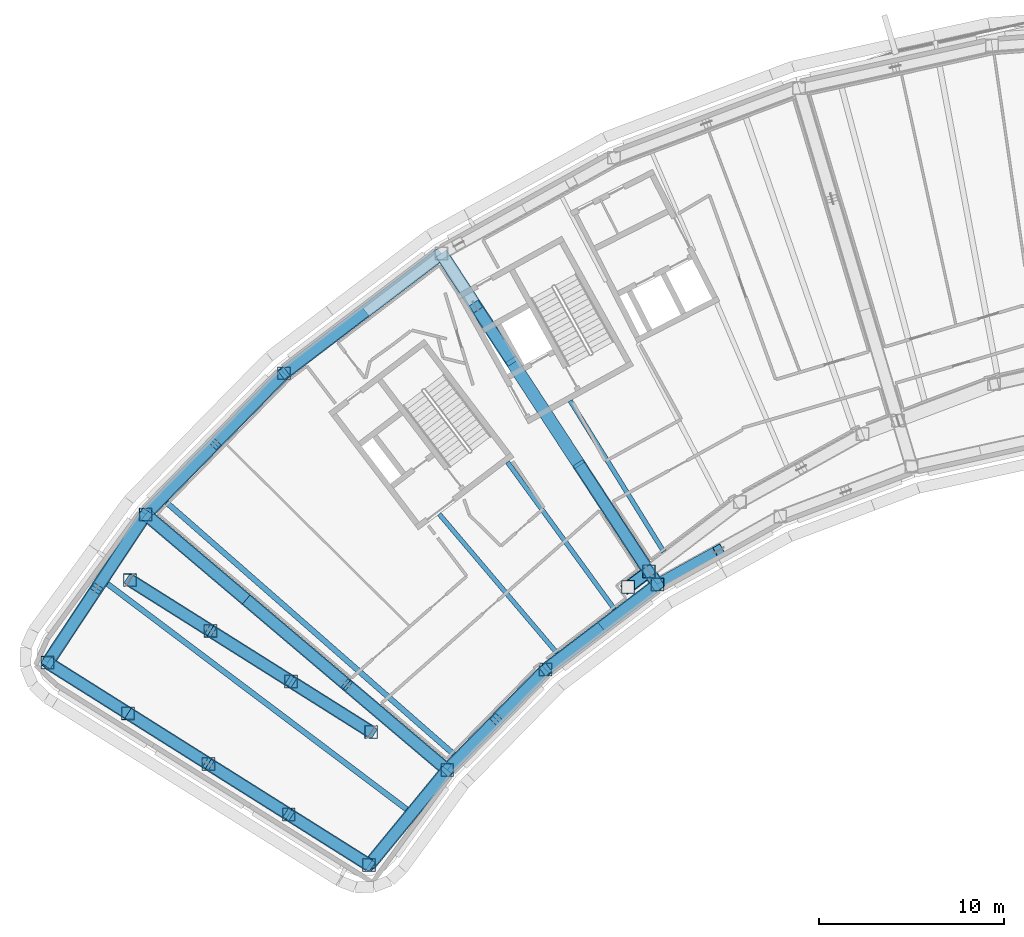
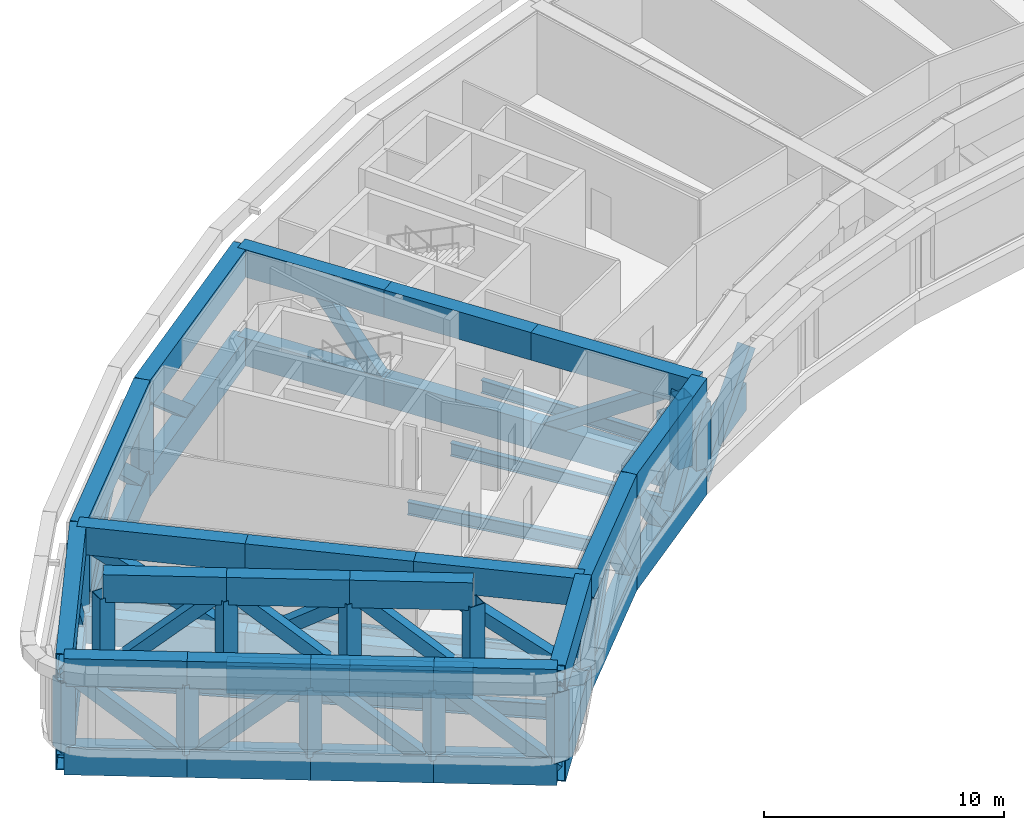
# One storey, part 1 of 25: 44 beams, 41 members.
"""IFC4 building model written with IfcOpenShell, lengths in metres."""

from ifc_helpers import new_model, si_unit, direction, frame, origin, origin_2d, place, context, subcontext, project, spatial, hollow_rectangle, i_section, extrude, material, material_profile, profile_set, type_object, element, save


model = new_model("IFC4")

# Units and contexts
model_context = context("Model", 3, precision=1e-05, world=origin(), true_north=direction((0.0, 1.0)))
body_context = subcontext(model_context, "Body", "Model", "MODEL_VIEW")
ifc_project = project(units=[si_unit("LENGTHUNIT", "METRE"), si_unit("AREAUNIT", "SQUARE_METRE"), si_unit("VOLUMEUNIT", "CUBIC_METRE"), si_unit("PLANEANGLEUNIT", "RADIAN"), si_unit("MASSUNIT", "GRAM", prefix="KILO")], contexts=[model_context])

# Site, building, storey
site_placement = place(None, origin())
site = spatial("IfcSite", under=ifc_project, at=site_placement, CompositionType="ELEMENT")
building_placement = place(site_placement, origin())
building = spatial("IfcBuilding", under=site, at=building_placement, Name="Tuul Gate Civic Tower", CompositionType="ELEMENT")
storey_placement = place(building_placement, frame((0.0, 0.0, 133.699951171875)))
storey = spatial("IfcBuildingStorey", under=building, at=storey_placement, Name="Plant and refuge floor 4", CompositionType="ELEMENT", Elevation=133.699951171875)

# Beams
ifc_material_1 = material(Name="Steel S355", Category="steel")
ifc_material_profile_1 = material_profile(ifc_material_1, i_section(OverallWidth=0.25, OverallDepth=0.64990234375, WebThickness=0.011962890625, FlangeThickness=0.02001953125, at=origin_2d()), Name="PG650x250x12x20")
ifc_profile_set_1 = profile_set([ifc_material_profile_1], Name="Steel S355")
beam_type_1 = type_object("IfcBeamType", Name="STR-FLOOR BEAM-PG650x250x12x20", PredefinedType="BEAM", material=ifc_profile_set_1)
beam_1_placement = place(storey_placement, frame((-23.004150390625, -18.904541015625, -0.724853515625), z_axis=(-0.52700579486, 0.849861690032, 0.0), x_axis=(-0.849861690032, -0.52700579486, 0.0)))
element("IfcBeam", 1, at=beam_1_placement, inside=storey, type_object=beam_type_1, Name="Floor beam", PredefinedType="BEAM", context=body_context, shape_type="SweptSolid", body=[
    extrude(i_section(OverallWidth=0.25, OverallDepth=0.64990234375, WebThickness=0.011962890625, FlangeThickness=0.02001953125, at=origin_2d()), origin(), (0.0, 0.0, 1.0), 9.6005859375),
])
beam_2_placement = place(storey_placement, frame((-25.675537109375, -22.00048828125, -0.724853515625), z_axis=(-0.588403722311, 0.808567288215, 0.0), x_axis=(-0.808567288215, -0.588403722311, 0.0)))
element("IfcBeam", 2, at=beam_2_placement, inside=storey, type_object=beam_type_1, Name="Floor beam", PredefinedType="BEAM", context=body_context, shape_type="SweptSolid", body=[
    extrude(i_section(OverallWidth=0.25, OverallDepth=0.64990234375, WebThickness=0.011962890625, FlangeThickness=0.02001953125, at=origin_2d()), origin(), (0.0, 0.0, 1.0), 9.821533203125),
])
beam_3_placement = place(storey_placement, frame((-28.7841796875, -24.367431640625, -0.724853515625), z_axis=(-0.64657533319, 0.762850141581, 0.0), x_axis=(-0.762850141581, -0.64657533319, 0.0)))
element("IfcBeam", 3, at=beam_3_placement, inside=storey, type_object=beam_type_1, Name="Floor beam", PredefinedType="BEAM", context=body_context, shape_type="SweptSolid", body=[
    extrude(i_section(OverallWidth=0.25, OverallDepth=0.64990234375, WebThickness=0.011962890625, FlangeThickness=0.02001953125, at=origin_2d()), origin(), (0.0, 0.0, 1.0), 9.832763671875),
])
ifc_material_2 = material(Name="Steel S355", Category="steel")
ifc_material_profile_2 = material_profile(ifc_material_2, i_section(OverallWidth=0.300048828125, OverallDepth=0.800048828125, WebThickness=0.013916015625, FlangeThickness=0.02490234375, at=origin_2d()), Name="PG800x300x14x25")
ifc_profile_set_2 = profile_set([ifc_material_profile_2], Name="Steel S355")
beam_type_2 = type_object("IfcBeamType", Name="STR-FLOOR BEAM-PG800x300x14x25", PredefinedType="BEAM", material=ifc_profile_set_2)
beam_4_placement = place(storey_placement, frame((-34.36083984375, -29.83984375, -0.800048828125), z_axis=(-0.752023742184, 0.659136018734, 0.0), x_axis=(-0.659136018734, -0.752023742184, 0.0)))
element("IfcBeam", 4, at=beam_4_placement, inside=storey, type_object=beam_type_2, Name="Floor beam", PredefinedType="BEAM", context=body_context, shape_type="SweptSolid", body=[
    extrude(i_section(OverallWidth=0.300048828125, OverallDepth=0.800048828125, WebThickness=0.013916015625, FlangeThickness=0.02490234375, at=origin_2d()), origin(), (0.0, 0.0, 1.0), 20.632568359375),
])
beam_5_placement = place(storey_placement, frame((-36.902587890625, -32.816650390625, -0.800048828125), z_axis=(-0.79870368658, 0.601724539174, 0.0), x_axis=(-0.601724539174, -0.79870368658, 0.0)))
element("IfcBeam", 5, at=beam_5_placement, inside=storey, type_object=beam_type_2, Name="Floor beam", PredefinedType="BEAM", context=body_context, shape_type="SweptSolid", body=[
    extrude(i_section(OverallWidth=0.300048828125, OverallDepth=0.800048828125, WebThickness=0.013916015625, FlangeThickness=0.02490234375, at=origin_2d()), origin(), (0.0, 0.0, 1.0), 20.233642578125),
])
ifc_material_3 = material(Name="Steel S460", Category="steel")
ifc_material_profile_3 = material_profile(ifc_material_3, hollow_rectangle(XDim=0.699951171875, YDim=1.39990234375, WallThickness=0.0400390625, at=origin_2d()), Name="BOX1400x700x40")
ifc_profile_set_3 = profile_set([ifc_material_profile_3], Name="Steel S460")
beam_type_3 = type_object("IfcBeamType", Name="STR-TRANSFER TRUSS CHORD-BOX1400x700x40", PredefinedType="BEAM", material=ifc_profile_set_3)
beam_6_placement = place(storey_placement, frame((-50.998046875, -16.884033203125, -1.099853515625), z_axis=(0.762827934926, -0.646601532396, 0.0), x_axis=(0.646601532396, 0.762827934926, 0.0)))
element("IfcBeam", 6, at=beam_6_placement, inside=storey, type_object=beam_type_3, Name="Radial truss bottom chord", PredefinedType="BEAM", context=body_context, shape_type="SweptSolid", body=[
    extrude(hollow_rectangle(XDim=0.699951171875, YDim=1.39990234375, WallThickness=0.0400390625, at=origin_2d()), origin(), (0.0, 0.0, 1.0), 7.118896484375),
])
beam_7_placement = place(storey_placement, frame((-45.567626953125, -21.487060546875, -1.099853515625), z_axis=(0.762813595765, -0.646618448636, 0.0), x_axis=(0.646618448636, 0.762813595765, 0.0)))
element("IfcBeam", 7, at=beam_7_placement, inside=storey, type_object=beam_type_3, Name="Radial truss bottom chord", PredefinedType="BEAM", context=body_context, shape_type="SweptSolid", body=[
    extrude(hollow_rectangle(XDim=0.699951171875, YDim=1.39990234375, WallThickness=0.0400390625, at=origin_2d()), origin(), (0.0, 0.0, 1.0), 7.11865234375),
])
for number, where, z_axis, x_axis, name in (
    (8, (-40.137451171875, -26.090087890625, -1.099853515625), (0.762827934926, -0.646601532396, 0.0), (0.646601532396, 0.762827934926, 0.0), "Radial truss bottom chord"),
    (9, (-50.998046875, -16.884033203125, 3.400146484375), (0.762827934926, -0.646601532396, 0.0), (0.646601532396, 0.762827934926, 0.0), "Radial truss top chord"),
):
    element("IfcBeam", number, at=place(storey_placement, frame(where, z_axis=z_axis, x_axis=x_axis)), inside=storey, type_object=beam_type_3, Name=name, PredefinedType="BEAM", context=body_context, shape_type="SweptSolid", body=[
        extrude(hollow_rectangle(XDim=0.699951171875, YDim=1.39990234375, WallThickness=0.0400390625, at=origin_2d()), origin(), (0.0, 0.0, 1.0), 7.118896484375),
    ])
beam_8_placement = place(storey_placement, frame((-45.567626953125, -21.487060546875, 3.400146484375), z_axis=(0.762813595765, -0.646618448636, 0.0), x_axis=(0.646618448636, 0.762813595765, 0.0)))
element("IfcBeam", 10, at=beam_8_placement, inside=storey, type_object=beam_type_3, Name="Radial truss top chord", PredefinedType="BEAM", context=body_context, shape_type="SweptSolid", body=[
    extrude(hollow_rectangle(XDim=0.699951171875, YDim=1.39990234375, WallThickness=0.0400390625, at=origin_2d()), origin(), (0.0, 0.0, 1.0), 7.11865234375),
])
beam_9_placement = place(storey_placement, frame((-40.137451171875, -26.090087890625, 3.400146484375), z_axis=(0.762827934926, -0.646601532396, 0.0), x_axis=(0.646601532396, 0.762827934926, 0.0)))
element("IfcBeam", 11, at=beam_9_placement, inside=storey, type_object=beam_type_3, Name="Radial truss top chord", PredefinedType="BEAM", context=body_context, shape_type="SweptSolid", body=[
    extrude(hollow_rectangle(XDim=0.699951171875, YDim=1.39990234375, WallThickness=0.0400390625, at=origin_2d()), origin(), (0.0, 0.0, 1.0), 7.118896484375),
])
for number, where, z_axis, x_axis, name in (
    (12, (-35.028076171875, -2.791015625, -1.099853515625), (0.54671327841, -0.837319885832, 0.0), (0.837319885832, 0.54671327841, 0.0), "Radial truss bottom chord"),
    (13, (-31.290771484375, -8.514892578125, -1.099853515625), (0.54671327841, -0.837319885832, 0.0), (0.837319885832, 0.54671327841, 0.0), "Radial truss bottom chord"),
):
    element("IfcBeam", number, at=place(storey_placement, frame(where, z_axis=z_axis, x_axis=x_axis)), inside=storey, type_object=beam_type_3, Name=name, PredefinedType="BEAM", context=body_context, shape_type="SweptSolid", body=[
        extrude(hollow_rectangle(XDim=0.699951171875, YDim=1.39990234375, WallThickness=0.0400390625, at=origin_2d()), origin(), (0.0, 0.0, 1.0), 6.8359375),
    ])
beam_10_placement = place(storey_placement, frame((-27.553466796875, -14.23876953125, -1.099853515625), z_axis=(0.546703887224, -0.837326017567, 0.0), x_axis=(0.837326017567, 0.546703887224, 0.0)))
element("IfcBeam", 14, at=beam_10_placement, inside=storey, type_object=beam_type_3, Name="Radial truss bottom chord", PredefinedType="BEAM", context=body_context, shape_type="SweptSolid", body=[
    extrude(hollow_rectangle(XDim=0.699951171875, YDim=1.39990234375, WallThickness=0.0400390625, at=origin_2d()), origin(), (0.0, 0.0, 1.0), 7.68310546875),
])
for number, where, z_axis, x_axis, name in (
    (15, (-35.028076171875, -2.791015625, 3.400146484375), (0.54671327841, -0.837319885832, 0.0), (0.837319885832, 0.54671327841, 0.0), "Radial truss top chord"),
    (16, (-31.290771484375, -8.514892578125, 3.400146484375), (0.54671327841, -0.837319885832, 0.0), (0.837319885832, 0.54671327841, 0.0), "Radial truss top chord"),
):
    element("IfcBeam", number, at=place(storey_placement, frame(where, z_axis=z_axis, x_axis=x_axis)), inside=storey, type_object=beam_type_3, Name=name, PredefinedType="BEAM", context=body_context, shape_type="SweptSolid", body=[
        extrude(hollow_rectangle(XDim=0.699951171875, YDim=1.39990234375, WallThickness=0.0400390625, at=origin_2d()), origin(), (0.0, 0.0, 1.0), 6.8359375),
    ])
beam_11_placement = place(storey_placement, frame((-27.553466796875, -14.23876953125, 3.400146484375), z_axis=(0.546703887224, -0.837326017567, 0.0), x_axis=(0.837326017567, 0.546703887224, 0.0)))
element("IfcBeam", 17, at=beam_11_placement, inside=storey, type_object=beam_type_3, Name="Radial truss top chord", PredefinedType="BEAM", context=body_context, shape_type="SweptSolid", body=[
    extrude(hollow_rectangle(XDim=0.699951171875, YDim=1.39990234375, WallThickness=0.0400390625, at=origin_2d()), origin(), (0.0, 0.0, 1.0), 7.68310546875),
])
for number, where, z_axis, x_axis, name in (
    (18, (-35.028076171875, -2.791015625, -1.099853515625), (-0.795657881015, -0.605746264023, 0.0), (0.605746264023, -0.795657881015, 0.0), "Belt truss bottom chord"),
    (19, (-35.028076171875, -2.791015625, 3.400146484375), (-0.795657881015, -0.605746264023, 0.0), (0.605746264023, -0.795657881015, 0.0), "Belt truss top chord"),
):
    element("IfcBeam", number, at=place(storey_placement, frame(where, z_axis=z_axis, x_axis=x_axis)), inside=storey, type_object=beam_type_3, Name=name, PredefinedType="BEAM", context=body_context, shape_type="SweptSolid", body=[
        extrude(hollow_rectangle(XDim=0.699951171875, YDim=1.39990234375, WallThickness=0.0400390625, at=origin_2d()), origin(), (0.0, 0.0, 1.0), 10.677734375),
    ])
for number, where, z_axis, x_axis, name in (
    (20, (-43.52392578125, -9.259033203125, -1.099853515625), (-0.700006025331, -0.714136936798, 0.0), (0.714136936798, -0.700006025331, 0.0), "Belt truss bottom chord"),
    (21, (-43.52392578125, -9.259033203125, 3.400146484375), (-0.700006025331, -0.714136936798, 0.0), (0.714136936798, -0.700006025331, 0.0), "Belt truss top chord"),
):
    element("IfcBeam", number, at=place(storey_placement, frame(where, z_axis=z_axis, x_axis=x_axis)), inside=storey, type_object=beam_type_3, Name=name, PredefinedType="BEAM", context=body_context, shape_type="SweptSolid", body=[
        extrude(hollow_rectangle(XDim=0.699951171875, YDim=1.39990234375, WallThickness=0.0400390625, at=origin_2d()), origin(), (0.0, 0.0, 1.0), 10.67724609375),
    ])
for number, where, z_axis, x_axis, name in (
    (22, (-50.998046875, -16.884033203125, -1.099853515625), (-0.551605665118, -0.834105023489, 0.0), (0.834105023489, -0.551605665118, 0.0), "Belt truss bottom chord"),
    (23, (-50.998046875, -16.884033203125, 3.400146484375), (-0.551605665118, -0.834105023489, 0.0), (0.834105023489, -0.551605665118, 0.0), "Belt truss top chord"),
):
    element("IfcBeam", number, at=place(storey_placement, frame(where, z_axis=z_axis, x_axis=x_axis)), inside=storey, type_object=beam_type_3, Name=name, PredefinedType="BEAM", context=body_context, shape_type="SweptSolid", body=[
        extrude(hollow_rectangle(XDim=0.699951171875, YDim=1.39990234375, WallThickness=0.0400390625, at=origin_2d()), origin(), (0.0, 0.0, 1.0), 9.606689453125),
    ])
for number, where, z_axis, x_axis, name in (
    (24, (-34.70703125, -30.693115234375, -1.099853515625), (0.699947938495, 0.714193869615, 0.0), (-0.714193869615, 0.699947938495, 0.0), "Belt truss bottom chord"),
    (25, (-34.70703125, -30.693115234375, 3.400146484375), (0.699947938495, 0.714193869615, 0.0), (-0.714193869615, 0.699947938495, 0.0), "Belt truss top chord"),
):
    element("IfcBeam", number, at=place(storey_placement, frame(where, z_axis=z_axis, x_axis=x_axis)), inside=storey, type_object=beam_type_3, Name=name, PredefinedType="BEAM", context=body_context, shape_type="SweptSolid", body=[
        extrude(hollow_rectangle(XDim=0.699951171875, YDim=1.39990234375, WallThickness=0.0400390625, at=origin_2d()), origin(), (0.0, 0.0, 1.0), 7.592041015625),
    ])
for number, where, z_axis, x_axis, name in (
    (26, (-29.39306640625, -25.27099609375, -1.099853515625), (0.795625835802, 0.605788353638, 0.0), (-0.605788353638, 0.795625835802, 0.0), "Belt truss bottom chord"),
    (27, (-29.39306640625, -25.27099609375, 3.400146484375), (0.795625835802, 0.605788353638, 0.0), (-0.605788353638, 0.795625835802, 0.0), "Belt truss top chord"),
    (28, (-24.93798828125, -20.81689453125, -1.099853515625), (0.795625835802, 0.605788353638, 0.0), (-0.605788353638, 0.795625835802, 0.0), "Belt truss bottom chord"),
):
    element("IfcBeam", number, at=place(storey_placement, frame(where, z_axis=z_axis, x_axis=x_axis)), inside=storey, type_object=beam_type_3, Name=name, PredefinedType="BEAM", context=body_context, shape_type="SweptSolid", body=[
        extrude(hollow_rectangle(XDim=0.699951171875, YDim=1.39990234375, WallThickness=0.0400390625, at=origin_2d()), origin(), (0.0, 0.0, 1.0), 7.591552734375),
    ])
for number, where, z_axis, x_axis, name in (
    (29, (-38.927001953125, -35.8349609375, -1.099853515625), (0.634408284955, 0.772998142288, 0.0), (-0.772998142288, 0.634408284955, 0.0), "Belt truss bottom chord"),
    (30, (-38.927001953125, -35.8349609375, 3.400146484375), (0.634408284955, 0.772998142288, 0.0), (-0.772998142288, 0.634408284955, 0.0), "Belt truss top chord"),
):
    element("IfcBeam", number, at=place(storey_placement, frame(where, z_axis=z_axis, x_axis=x_axis)), inside=storey, type_object=beam_type_3, Name=name, PredefinedType="BEAM", context=body_context, shape_type="SweptSolid", body=[
        extrude(hollow_rectangle(XDim=0.699951171875, YDim=1.39990234375, WallThickness=0.0400390625, at=origin_2d()), origin(), (0.0, 0.0, 1.0), 6.65185546875),
    ])
for number, where, z_axis, x_axis, name in (
    (31, (-47.5, -23.176025390625, -1.099853515625), (0.846200269344, -0.532864996188, 0.0), (0.532864996188, 0.846200269344, 0.0), "Belt truss bottom chord"),
    (32, (-47.5, -23.176025390625, 3.400146484375), (0.846200269344, -0.532864996188, 0.0), (0.532864996188, 0.846200269344, 0.0), "Belt truss top chord"),
):
    element("IfcBeam", number, at=place(storey_placement, frame(where, z_axis=z_axis, x_axis=x_axis)), inside=storey, type_object=beam_type_3, Name=name, PredefinedType="BEAM", context=body_context, shape_type="SweptSolid", body=[
        extrude(hollow_rectangle(XDim=0.699951171875, YDim=1.39990234375, WallThickness=0.0400390625, at=origin_2d()), origin(), (0.0, 0.0, 1.0), 5.13232421875),
    ])
for number, where, z_axis, x_axis, name in (
    (33, (-47.612060546875, -30.365966796875, -1.099853515625), (0.846264615796, -0.53276279905, 0.0), (0.53276279905, 0.846264615796, 0.0), "Belt truss bottom chord"),
    (34, (-47.612060546875, -30.365966796875, 3.400146484375), (0.846264615796, -0.53276279905, 0.0), (0.53276279905, 0.846264615796, 0.0), "Belt truss top chord"),
    (35, (-56.297119140625, -24.89697265625, -1.099853515625), (0.846264615796, -0.53276279905, 0.0), (0.53276279905, 0.846264615796, 0.0), "Belt truss bottom chord"),
    (36, (-56.297119140625, -24.89697265625, 3.400146484375), (0.846264615796, -0.53276279905, 0.0), (0.53276279905, 0.846264615796, 0.0), "Belt truss top chord"),
):
    element("IfcBeam", number, at=place(storey_placement, frame(where, z_axis=z_axis, x_axis=x_axis)), inside=storey, type_object=beam_type_3, Name=name, PredefinedType="BEAM", context=body_context, shape_type="SweptSolid", body=[
        extrude(hollow_rectangle(XDim=0.699951171875, YDim=1.39990234375, WallThickness=0.0400390625, at=origin_2d()), origin(), (0.0, 0.0, 1.0), 5.132080078125),
    ])
for number, where, z_axis, x_axis, name in (
    (37, (-51.9541015625, -27.631103515625, -1.099853515625), (0.846146228652, -0.532950804237, 0.0), (0.532950804237, 0.846146228652, 0.0), "Belt truss bottom chord"),
    (38, (-51.9541015625, -27.631103515625, 3.400146484375), (0.846146228652, -0.532950804237, 0.0), (0.532950804237, 0.846146228652, 0.0), "Belt truss top chord"),
    (39, (-43.26904296875, -33.10009765625, -1.099853515625), (0.846146228652, -0.532950804237, 0.0), (0.532950804237, 0.846146228652, 0.0), "Belt truss bottom chord"),
    (40, (-43.26904296875, -33.10009765625, 3.400146484375), (0.846146228652, -0.532950804237, 0.0), (0.532950804237, 0.846146228652, 0.0), "Belt truss top chord"),
    (41, (-43.156982421875, -25.910888671875, -1.099853515625), (0.846124773729, -0.532984865903, 0.0), (0.532984865903, 0.846124773729, 0.0), "Belt truss bottom chord"),
    (42, (-43.156982421875, -25.910888671875, 3.400146484375), (0.846124773729, -0.532984865903, 0.0), (0.532984865903, 0.846124773729, 0.0), "Belt truss top chord"),
):
    element("IfcBeam", number, at=place(storey_placement, frame(where, z_axis=z_axis, x_axis=x_axis)), inside=storey, type_object=beam_type_3, Name=name, PredefinedType="BEAM", context=body_context, shape_type="SweptSolid", body=[
        extrude(hollow_rectangle(XDim=0.699951171875, YDim=1.39990234375, WallThickness=0.0400390625, at=origin_2d()), origin(), (0.0, 0.0, 1.0), 5.131591796875),
    ])
for number, where, z_axis, x_axis, name in (
    (43, (-51.842041015625, -20.44189453125, -1.099853515625), (0.846210591722, -0.532848603694, 0.0), (0.532848603694, 0.846210591722, 0.0), "Belt truss bottom chord"),
    (44, (-51.842041015625, -20.44189453125, 3.400146484375), (0.846210591722, -0.532848603694, 0.0), (0.532848603694, 0.846210591722, 0.0), "Belt truss top chord"),
):
    element("IfcBeam", number, at=place(storey_placement, frame(where, z_axis=z_axis, x_axis=x_axis)), inside=storey, type_object=beam_type_3, Name=name, PredefinedType="BEAM", context=body_context, shape_type="SweptSolid", body=[
        extrude(hollow_rectangle(XDim=0.699951171875, YDim=1.39990234375, WallThickness=0.0400390625, at=origin_2d()), origin(), (0.0, 0.0, 1.0), 5.131103515625),
    ])

# Members
ifc_material_4 = material(Name="Steel S355", Category="steel")
ifc_material_profile_4 = material_profile(ifc_material_4, hollow_rectangle(XDim=0.60009765625, YDim=0.60009765625, WallThickness=0.02490234375, at=origin_2d()), Name="BOX600x600x25")
ifc_profile_set_4 = profile_set([ifc_material_profile_4], Name="Steel S355")
member_type_1 = type_object("IfcMemberType", Name="STR-TRANSFER TRUSS DIAGONAL-BOX600x600x25", PredefinedType="BRACE", material=ifc_profile_set_4)
for number, where, z_axis, x_axis, name in (
    (45, (-45.564453125, -21.48974609375, -1.1025390625), (-0.644798242052, 0.546554026538, 0.534335028911), (-0.64660076349, -0.762828586679, 0.0), "Radial truss web"),
    (46, (-45.57080078125, -21.484375, -1.1025390625), (0.644798242052, -0.546554026538, 0.534335028911), (0.64660076349, 0.762828586679, 0.0), "Radial truss web"),
):
    element("IfcMember", number, at=place(storey_placement, frame(where, z_axis=z_axis, x_axis=x_axis)), inside=storey, type_object=member_type_1, Name=name, PredefinedType="BRACE", context=body_context, shape_type="SweptSolid", body=[
        extrude(hollow_rectangle(XDim=0.60009765625, YDim=0.60009765625, WallThickness=0.02490234375, at=origin_2d()), origin(), (0.0, 0.0, 1.0), 8.431640625),
    ])
member_1_placement = place(storey_placement, frame((-34.703857421875, -30.69580078125, -1.1025390625), z_axis=(-0.644788037798, 0.54657433156, 0.534326572793), x_axis=(-0.646620696172, -0.762811690578, 0.0)))
element("IfcMember", 47, at=member_1_placement, inside=storey, type_object=member_type_1, Name="Radial truss web", PredefinedType="BRACE", context=body_context, shape_type="SweptSolid", body=[
    extrude(hollow_rectangle(XDim=0.60009765625, YDim=0.60009765625, WallThickness=0.02490234375, at=origin_2d()), origin(), (0.0, 0.0, 1.0), 8.431884765625),
])
member_2_placement = place(storey_placement, frame((-27.5556640625, -14.2353515625, -1.102783203125), z_axis=(0.456651900683, -0.699383226766, 0.549847382208), x_axis=(0.837318825102, 0.546714902971, 0.0)))
element("IfcMember", 48, at=member_2_placement, inside=storey, type_object=member_type_1, Name="Radial truss web", PredefinedType="BRACE", context=body_context, shape_type="SweptSolid", body=[
    extrude(hollow_rectangle(XDim=0.60009765625, YDim=0.60009765625, WallThickness=0.02490234375, at=origin_2d()), origin(), (0.0, 0.0, 1.0), 8.1943359375),
])
member_3_placement = place(storey_placement, frame((-23.3525390625, -20.6728515625, -1.10498046875), z_axis=(-0.101130574265, 0.154914377833, 0.982738084379), x_axis=(-0.837364525256, -0.546644904708, 0.0)))
element("IfcMember", 49, at=member_3_placement, inside=storey, type_object=member_type_1, Name="Radial truss web", PredefinedType="BRACE", context=body_context, shape_type="SweptSolid", body=[
    extrude(hollow_rectangle(XDim=0.60009765625, YDim=0.60009765625, WallThickness=0.02490234375, at=origin_2d()), origin(), (0.0, 0.0, 1.0), 4.589111328125),
])
member_4_placement = place(storey_placement, frame((-39.27294921875, -6.022705078125, -1.103271484375), z_axis=(-0.608386645762, -0.463141971652, 0.644488326778), x_axis=(0.605719855352, -0.79567798564, 0.0)))
element("IfcMember", 50, at=member_4_placement, inside=storey, type_object=member_type_1, Name="Belt truss web", PredefinedType="BRACE", context=body_context, shape_type="SweptSolid", body=[
    extrude(hollow_rectangle(XDim=0.60009765625, YDim=0.60009765625, WallThickness=0.02490234375, at=origin_2d()), origin(), (0.0, 0.0, 1.0), 6.992431640625),
])
for number, where, z_axis, x_axis, name in (
    (51, (-43.521240234375, -9.25634765625, -1.103271484375), (-0.535227064941, -0.546016102912, 0.644514083876), (0.714126998958, -0.700016163642, 0.0), "Belt truss web"),
    (52, (-51.000732421875, -16.88671875, -1.103271484375), (0.535227064941, 0.546016102912, 0.644514083876), (-0.714126998958, 0.700016163642, 0.0), "Belt truss web"),
):
    element("IfcMember", number, at=place(storey_placement, frame(where, z_axis=z_axis, x_axis=x_axis)), inside=storey, type_object=member_type_1, Name=name, PredefinedType="BRACE", context=body_context, shape_type="SweptSolid", body=[
        extrude(hollow_rectangle(XDim=0.60009765625, YDim=0.60009765625, WallThickness=0.02490234375, at=origin_2d()), origin(), (0.0, 0.0, 1.0), 6.9921875),
    ])
for number, where, z_axis, x_axis, name in (
    (53, (-50.99609375, -16.880859375, -1.103271484375), (-0.402511031552, -0.608729417978, 0.683690986607), (0.834136860503, -0.551557520074, 0.0), "Belt truss web"),
    (54, (-56.299072265625, -24.900146484375, -1.103271484375), (0.402542066757, 0.608720343106, 0.683680794216), (-0.834113511354, 0.551592830063, 0.0), "Belt truss web"),
):
    element("IfcMember", number, at=place(storey_placement, frame(where, z_axis=z_axis, x_axis=x_axis)), inside=storey, type_object=member_type_1, Name=name, PredefinedType="BRACE", context=body_context, shape_type="SweptSolid", body=[
        extrude(hollow_rectangle(XDim=0.60009765625, YDim=0.60009765625, WallThickness=0.02490234375, at=origin_2d()), origin(), (0.0, 0.0, 1.0), 6.592041015625),
    ])
member_5_placement = place(storey_placement, frame((-34.709228515625, -30.6953125, -1.103759765625), z_axis=(0.451304837811, 0.460495707822, 0.764374022613), x_axis=(-0.714198073899, 0.699943648617, 0.0)))
element("IfcMember", 55, at=member_5_placement, inside=storey, type_object=member_type_1, Name="Belt truss web", PredefinedType="BRACE", context=body_context, shape_type="SweptSolid", body=[
    extrude(hollow_rectangle(XDim=0.60009765625, YDim=0.60009765625, WallThickness=0.02490234375, at=origin_2d()), origin(), (0.0, 0.0, 1.0), 5.89697265625),
])
member_6_placement = place(storey_placement, frame((-29.390625, -25.268798828125, -1.103759765625), z_axis=(-0.451337804949, -0.460487103692, 0.76435974067), x_axis=(0.714165976552, -0.699976398127, 0.0)))
element("IfcMember", 56, at=member_6_placement, inside=storey, type_object=member_type_1, Name="Belt truss web", PredefinedType="BRACE", context=body_context, shape_type="SweptSolid", body=[
    extrude(hollow_rectangle(XDim=0.60009765625, YDim=0.60009765625, WallThickness=0.02490234375, at=origin_2d()), origin(), (0.0, 0.0, 1.0), 5.897216796875),
])
for number, where, z_axis, x_axis, name in (
    (57, (-26.370361328125, -22.969482421875, -1.103759765625), (-0.512989911448, -0.390610912316, 0.764371942141), (0.605809108227, -0.795610032861, 0.0), "Belt truss web"),
    (58, (-26.37548828125, -22.973388671875, -1.103759765625), (0.51299820696, 0.390575827977, 0.764384302728), (-0.605768462047, 0.795640980838, 0.0), "Belt truss web"),
):
    element("IfcMember", number, at=place(storey_placement, frame(where, z_axis=z_axis, x_axis=x_axis)), inside=storey, type_object=member_type_1, Name=name, PredefinedType="BRACE", context=body_context, shape_type="SweptSolid", body=[
        extrude(hollow_rectangle(XDim=0.60009765625, YDim=0.60009765625, WallThickness=0.02490234375, at=origin_2d()), origin(), (0.0, 0.0, 1.0), 5.89697265625),
    ])
member_7_placement = place(storey_placement, frame((-24.939208984375, -20.81787109375, -1.104736328125), z_axis=(0.237904005296, 0.181127349092, 0.954250788669), x_axis=(-0.605762071206, 0.795645846522, 0.0)))
element("IfcMember", 59, at=member_7_placement, inside=storey, type_object=member_type_1, Name="Belt truss web", PredefinedType="BRACE", context=body_context, shape_type="SweptSolid", body=[
    extrude(hollow_rectangle(XDim=0.60009765625, YDim=0.60009765625, WallThickness=0.02490234375, at=origin_2d()), origin(), (0.0, 0.0, 1.0), 4.725830078125),
])
member_8_placement = place(storey_placement, frame((-23.355712890625, -20.673583984375, -1.103759765625), z_axis=(0.56392277599, 0.312577414193, 0.764386330893), x_axis=(-0.484797655241, 0.874626339343, 0.0)))
element("IfcMember", 60, at=member_8_placement, inside=storey, type_object=member_type_1, Name="Belt truss web", PredefinedType="BRACE", context=body_context, shape_type="SweptSolid", body=[
    extrude(hollow_rectangle(XDim=0.60009765625, YDim=0.60009765625, WallThickness=0.02490234375, at=origin_2d()), origin(), (0.0, 0.0, 1.0), 5.89697265625),
])
member_9_placement = place(storey_placement, frame((-34.704345703125, -30.689697265625, -1.102783203125), z_axis=(-0.525463250337, -0.640259376154, 0.560318038075), x_axis=(0.773001004128, -0.634404797915, 0.0)))
element("IfcMember", 61, at=member_9_placement, inside=storey, type_object=member_type_1, Name="Belt truss web", PredefinedType="BRACE", context=body_context, shape_type="SweptSolid", body=[
    extrude(hollow_rectangle(XDim=0.60009765625, YDim=0.60009765625, WallThickness=0.02490234375, at=origin_2d()), origin(), (0.0, 0.0, 1.0), 8.041259765625),
])
member_10_placement = place(storey_placement, frame((-43.15380859375, -25.9130859375, -1.103271484375), z_axis=(-0.636260198505, 0.400684993939, 0.659260567174), x_axis=(-0.532886335228, -0.846186831455, 0.0)))
element("IfcMember", 62, at=member_10_placement, inside=storey, type_object=member_type_1, Name="Belt truss web", PredefinedType="BRACE", context=body_context, shape_type="SweptSolid", body=[
    extrude(hollow_rectangle(XDim=0.60009765625, YDim=0.60009765625, WallThickness=0.02490234375, at=origin_2d()), origin(), (0.0, 0.0, 1.0), 6.8359375),
])
for number, where, z_axis, x_axis, name in (
    (63, (-43.265869140625, -33.10205078125, -1.103271484375), (-0.63629661571, 0.400565060072, 0.659298300836), (-0.532750272584, -0.846272501657, 0.0), "Belt truss web"),
    (64, (-51.950927734375, -27.633056640625, -1.103271484375), (-0.63629661571, 0.400565060072, 0.659298300836), (-0.532750272584, -0.846272501657, 0.0), "Belt truss web"),
):
    element("IfcMember", number, at=place(storey_placement, frame(where, z_axis=z_axis, x_axis=x_axis)), inside=storey, type_object=member_type_1, Name=name, PredefinedType="BRACE", context=body_context, shape_type="SweptSolid", body=[
        extrude(hollow_rectangle(XDim=0.60009765625, YDim=0.60009765625, WallThickness=0.02490234375, at=origin_2d()), origin(), (0.0, 0.0, 1.0), 6.83544921875),
    ])
for number, where, z_axis, x_axis, name in (
    (65, (-51.957275390625, -27.62890625, -1.103271484375), (0.63617516084, -0.400721415387, 0.659320492614), (0.532972018739, 0.846132866187, 0.0), "Belt truss web"),
    (66, (-38.923828125, -35.8369140625, -1.103271484375), (-0.63617516084, 0.400721415387, 0.659320492614), (-0.532972018739, -0.846132866187, 0.0), "Belt truss web"),
    (67, (-38.811767578125, -28.64794921875, -1.103271484375), (-0.63617516084, 0.400721415387, 0.659320492614), (-0.532972018739, -0.846132866187, 0.0), "Belt truss web"),
):
    element("IfcMember", number, at=place(storey_placement, frame(where, z_axis=z_axis, x_axis=x_axis)), inside=storey, type_object=member_type_1, Name=name, PredefinedType="BRACE", context=body_context, shape_type="SweptSolid", body=[
        extrude(hollow_rectangle(XDim=0.60009765625, YDim=0.60009765625, WallThickness=0.02490234375, at=origin_2d()), origin(), (0.0, 0.0, 1.0), 6.835205078125),
    ])
member_11_placement = place(storey_placement, frame((-51.84521484375, -20.43994140625, -1.103271484375), z_axis=(0.636211579798, -0.400601474787, 0.659358236567), x_axis=(0.532835951567, 0.846218558481, 0.0)))
element("IfcMember", 68, at=member_11_placement, inside=storey, type_object=member_type_1, Name="Belt truss web", PredefinedType="BRACE", context=body_context, shape_type="SweptSolid", body=[
    extrude(hollow_rectangle(XDim=0.60009765625, YDim=0.60009765625, WallThickness=0.02490234375, at=origin_2d()), origin(), (0.0, 0.0, 1.0), 6.834716796875),
])
member_12_placement = place(storey_placement, frame((-31.2890625, -8.517333984375, -1.10400390625), z_axis=(-0.33065936157, 0.506447487012, 0.796351260127), x_axis=(-0.837332456307, -0.54669402559, 0.0)))
element("IfcMember", 69, at=member_12_placement, inside=storey, type_object=member_type_1, Name="Radial truss web", PredefinedType="BRACE", context=body_context, shape_type="SweptSolid", body=[
    extrude(hollow_rectangle(XDim=0.60009765625, YDim=0.60009765625, WallThickness=0.02490234375, at=origin_2d()), origin(), (0.0, 0.0, 1.0), 5.660888671875),
])
ifc_material_5 = material(Name="Steel S355", Category="steel")
ifc_material_profile_5 = material_profile(ifc_material_5, hollow_rectangle(XDim=0.699951171875, YDim=0.699951171875, WallThickness=0.030029296875, at=origin_2d()), Name="BOX700x700x30")
ifc_profile_set_5 = profile_set([ifc_material_profile_5], Name="Steel S355")
member_type_2 = type_object("IfcMemberType", Name="STR-TRUSS POST-BOX700x700x30", PredefinedType="POST", material=ifc_profile_set_5)
for number, where, z_axis, x_axis, name in (
    (70, (-50.998046875, -16.884033203125, -0.619873046875), (0.0, 0.0, 1.0), (1.0, 0.0, 0.0), "Radial truss post"),
    (71, (-34.70703125, -30.693115234375, -0.619873046875), (0.0, 0.0, 1.0), (1.0, 0.0, 0.0), "Radial truss post"),
    (72, (-23.816162109375, -19.962646484375, -0.619873046875), (0.0, 0.0, 1.0), (1.0, 0.0, 0.0), "Radial truss post"),
    (73, (-23.35302734375, -20.672119140625, -0.619873046875), (0.0, 0.0, 1.0), (1.0, 0.0, 0.0), "Radial truss post"),
    (74, (-43.52392578125, -9.259033203125, -0.619873046875), (0.0, 0.0, 1.0), (1.0, 0.0, 0.0), "Belt truss post"),
    (75, (-56.297119140625, -24.89697265625, -0.619873046875), (0.0, 0.0, 1.0), (1.0, 0.0, 0.0), "Belt truss post"),
    (76, (-29.39306640625, -25.27099609375, -0.619873046875), (0.0, 0.0, 1.0), (1.0, 0.0, 0.0), "Belt truss post"),
    (77, (-24.93798828125, -20.81689453125, -0.619873046875), (0.0, 0.0, 1.0), (1.0, 0.0, 0.0), "Belt truss post"),
    (78, (-38.927001953125, -35.8349609375, -0.619873046875), (0.0, 0.0, 1.0), (1.0, 0.0, 0.0), "Belt truss post"),
    (79, (-47.5, -23.176025390625, -0.619873046875), (0.0, 0.0, 1.0), (1.0, 0.0, 0.0), "Belt truss post"),
    (80, (-43.156982421875, -25.910888671875, -0.619873046875), (0.0, 0.0, 1.0), (1.0, 0.0, 0.0), "Belt truss post"),
    (81, (-47.612060546875, -30.365966796875, -0.619873046875), (0.0, 0.0, 1.0), (1.0, 0.0, 0.0), "Belt truss post"),
    (82, (-43.26904296875, -33.10009765625, -0.619873046875), (0.0, 0.0, 1.0), (1.0, 0.0, 0.0), "Belt truss post"),
    (83, (-51.9541015625, -27.631103515625, -0.619873046875), (0.0, 0.0, 1.0), (1.0, 0.0, 0.0), "Belt truss post"),
    (84, (-38.81494140625, -28.64599609375, -0.619873046875), (0.0, 0.0, 1.0), (1.0, 0.0, 0.0), "Belt truss post"),
    (85, (-51.842041015625, -20.44189453125, -0.619873046875), (0.0, 0.0, 1.0), (1.0, 0.0, 0.0), "Belt truss post"),
):
    element("IfcMember", number, at=place(storey_placement, frame(where, z_axis=z_axis, x_axis=x_axis)), inside=storey, type_object=member_type_2, Name=name, PredefinedType="POST", context=body_context, shape_type="SweptSolid", body=[
        extrude(hollow_rectangle(XDim=0.699951171875, YDim=0.699951171875, WallThickness=0.030029296875, at=origin_2d()), origin(), (0.0, 0.0, 1.0), 3.5400390625),
    ])

save(model, "model.ifc")
